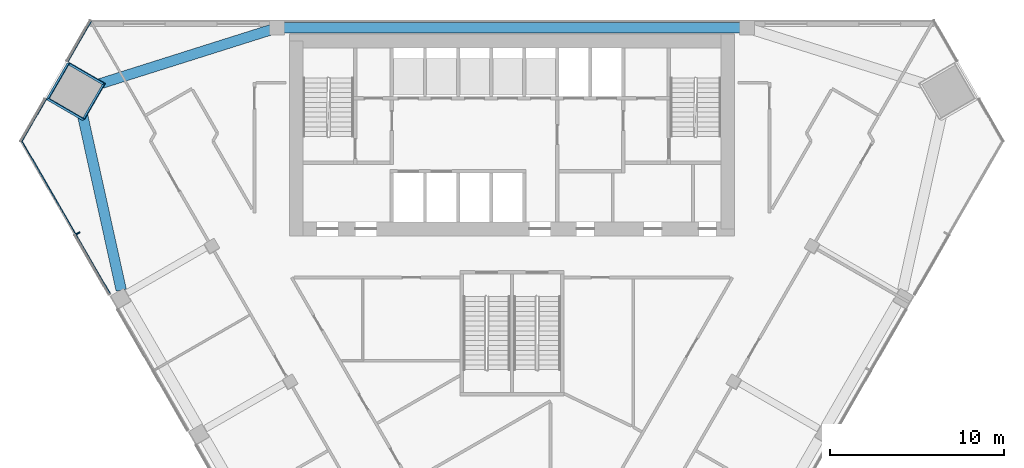
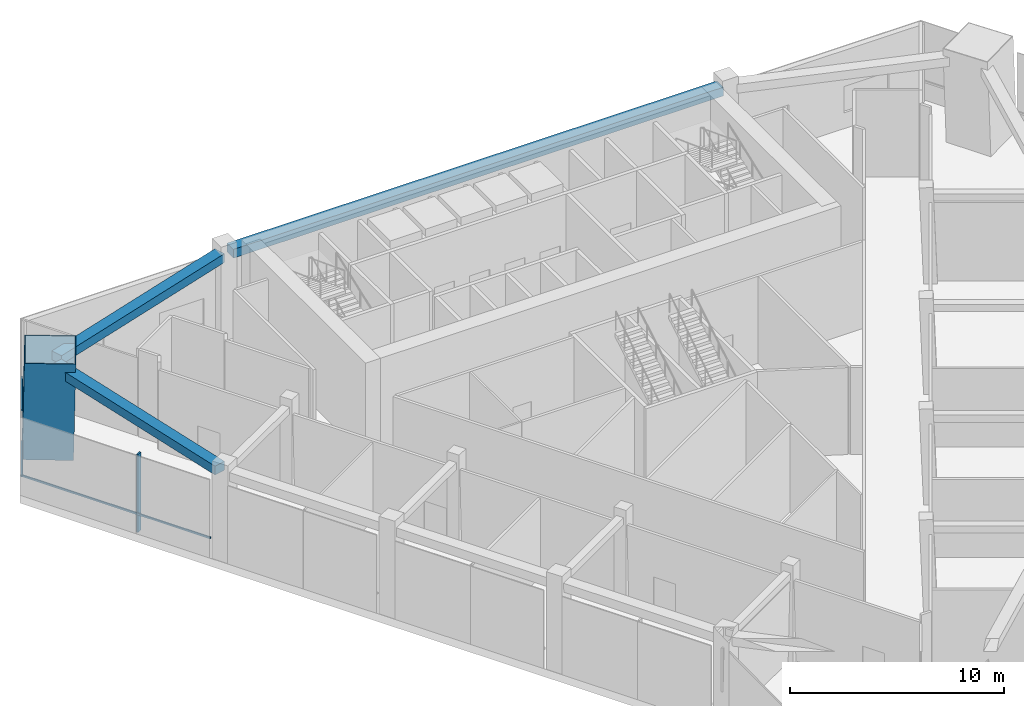
# One storey, part 4 of 12: 5 members, 3 beams, 2 elements without a shape of their own.
"""IFC4 building model written with IfcOpenShell, lengths in metres."""

from ifc_helpers import new_model, si_unit, direction, frame, origin, origin_2d, place, context, subcontext, project, spatial, rectangle, hollow_rectangle, extrude, material, layer, layer_set, material_profile, profile_set, type_object, element, aggregate, save


model = new_model("IFC4")

# Units and contexts
model_context = context("Model", 3, precision=1e-05, world=origin(), true_north=direction((0.0, 1.0)))
body_context = subcontext(model_context, "Body", "Model", "MODEL_VIEW")
ifc_project = project(units=[si_unit("LENGTHUNIT", "METRE"), si_unit("AREAUNIT", "SQUARE_METRE"), si_unit("VOLUMEUNIT", "CUBIC_METRE"), si_unit("PLANEANGLEUNIT", "RADIAN"), si_unit("MASSUNIT", "GRAM", prefix="KILO")], contexts=[model_context])

# Site, building, storey
site_placement = place(None, origin())
site = spatial("IfcSite", under=ifc_project, at=site_placement, CompositionType="ELEMENT")
building_placement = place(site_placement, origin())
building = spatial("IfcBuilding", under=site, at=building_placement, Name="Altiplano Prism Tower", CompositionType="ELEMENT")
storey_placement = place(building_placement, frame((0.0, 0.0, 118.800048828125)))
storey = spatial("IfcBuildingStorey", under=building, at=storey_placement, Name="L30", CompositionType="ELEMENT", Elevation=118.800048828125)

# Curtain wall, member
ifc_material_1 = material(Name="Aluminium and glass", Category="aluminium")
ifc_layer = layer(ifc_material_1, 0.360107421875)
ifc_layer_set = layer_set([ifc_layer], Name="Aluminium and glass")
curtain_wall_type = type_object("IfcCurtainWallType", Name="CW3 sky-lobby unitised glazing", PredefinedType="NOTDEFINED", material=ifc_layer_set)
curtain_wall_1_placement = place(storey_placement, origin())
curtain_wall_1 = element("IfcCurtainWall", 1, at=curtain_wall_1_placement, inside=storey, type_object=curtain_wall_type, Name="CW3 curtain wall south-west face L30", PredefinedType="NOTDEFINED")
ifc_material_2 = material(Name="Aluminium", Category="aluminium")
ifc_material_profile_1 = material_profile(ifc_material_2, rectangle(XDim=0.239990234375, YDim=0.080078125, at=origin_2d()), Name="CW3 mullion 80 x 240")
ifc_profile_set_1 = profile_set([ifc_material_profile_1], Name="Aluminium")
member_type_1 = type_object("IfcMemberType", Name="CW3 mullion 80 x 240", PredefinedType="MULLION", material=ifc_profile_set_1)
member_1_placement = place(storey_placement, frame((60.06103515625, 92.741455078125, 0.0), z_axis=(0.0, 0.0, 1.0), x_axis=(0.866025406725, 0.499999994906, 0.0)))
member_1 = element("IfcMember", 2, at=member_1_placement, type_object=member_type_1, Name="CW3 mullion", PredefinedType="MULLION", context=body_context, shape_type="SweptSolid", body=[
    extrude(rectangle(XDim=0.239990234375, YDim=0.080078125, at=origin_2d()), origin(), (0.0, 0.0, 1.0), 4.449951171875),
])

# Curtain wall, members
curtain_wall_2_placement = place(storey_placement, origin())
curtain_wall_2 = element("IfcCurtainWall", 3, at=curtain_wall_2_placement, inside=storey, type_object=curtain_wall_type, Name="CW3 curtain wall north-west chamfer L30", PredefinedType="NOTDEFINED")
ifc_material_profile_2 = material_profile(ifc_material_2, rectangle(XDim=0.070068359375, YDim=0.10009765625, at=origin_2d()), Name="CW3 transom 100 x 70")
ifc_profile_set_2 = profile_set([ifc_material_profile_2], Name="Aluminium")
member_type_2 = type_object("IfcMemberType", Name="CW3 transom 100 x 70", PredefinedType="USERDEFINED", material=ifc_profile_set_2)
member_2_placement = place(storey_placement, frame((60.8173828125, 104.95751953125, 1.099853515625), z_axis=(-0.500001755459, -0.866024390267, 0.0), x_axis=(0.866024390267, -0.500001755459, 0.0)))
member_2 = element("IfcMember", 4, at=member_2_placement, type_object=member_type_2, Name="CW3 transom", ObjectType="TRANSOM", PredefinedType="USERDEFINED", context=body_context, shape_type="SweptSolid", body=[
    extrude(rectangle(XDim=0.070068359375, YDim=0.10009765625, at=origin_2d()), origin(), (0.0, 0.0, 1.0), 2.69873046875),
])
member_3_placement = place(storey_placement, frame((58.2080078125, 100.43798828125, 1.099853515625), z_axis=(-0.500042355881, -0.866000948224, 0.0), x_axis=(0.866000948224, -0.500042355881, 0.0)))
member_3 = element("IfcMember", 5, at=member_3_placement, type_object=member_type_2, Name="CW3 transom", ObjectType="TRANSOM", PredefinedType="USERDEFINED", context=body_context, shape_type="SweptSolid", body=[
    extrude(rectangle(XDim=0.070068359375, YDim=0.10009765625, at=origin_2d()), origin(), (0.0, 0.0, 1.0), 2.818603515625),
])
aggregate(curtain_wall_2, [member_2, member_3])

# Member
member_4_placement = place(storey_placement, frame((56.798583984375, 98.08203125, 1.099853515625), z_axis=(0.500001144849, -0.866024742805, 0.0), x_axis=(0.866024742805, 0.500001144849, 0.0)))
member_4 = element("IfcMember", 6, at=member_4_placement, type_object=member_type_2, Name="CW3 transom", ObjectType="TRANSOM", PredefinedType="USERDEFINED", context=body_context, shape_type="SweptSolid", body=[
    extrude(rectangle(XDim=0.070068359375, YDim=0.10009765625, at=origin_2d()), origin(), (0.0, 0.0, 1.0), 10.2119140625),
])

aggregate(curtain_wall_1, [member_1, member_4])

# Beams
ifc_material_3 = material(Name="Concrete C60/75", Category="concrete")
ifc_material_profile_3 = material_profile(ifc_material_3, rectangle(XDim=0.60009765625, YDim=0.5, at=origin_2d()), Name="Edge beam 600x500")
ifc_profile_set_3 = profile_set([ifc_material_profile_3], Name="Concrete C60/75")
beam_type = type_object("IfcBeamType", Name="Edge beam 600x500", PredefinedType="SPANDREL", material=ifc_profile_set_3)
beam_1_placement = place(storey_placement, frame((98.195068359375, 104.550048828125, 4.699951171875), z_axis=(-1.0, 0.0, 0.0), x_axis=(0.0, -1.0, 0.0)))
element("IfcBeam", 7, at=beam_1_placement, inside=storey, type_object=beam_type, Name="Edge beam P01-P04 L31", PredefinedType="SPANDREL", context=body_context, shape_type="SweptSolid", body=[
    extrude(rectangle(XDim=0.60009765625, YDim=0.5, at=origin_2d()), origin(), (0.0, 0.0, 1.0), 26.39013671875),
])
beam_2_placement = place(storey_placement, frame((71.189453125, 104.451904296875, 4.699951171875), z_axis=(-0.953512580837, -0.301353211672, 0.0), x_axis=(0.301353211672, -0.953512580837, 0.0)))
element("IfcBeam", 8, at=beam_2_placement, inside=storey, type_object=beam_type, Name="Edge beam P04-M0 L31", PredefinedType="SPANDREL", context=body_context, shape_type="SweptSolid", body=[
    extrude(rectangle(XDim=0.60009765625, YDim=0.5, at=origin_2d()), origin(), (0.0, 0.0, 1.0), 11.270751953125),
])
beam_3_placement = place(storey_placement, frame((60.110595703125, 100.48046875, 4.699951171875), z_axis=(0.215788130931, -0.976440209408, 0.0), x_axis=(0.976440209408, 0.215788130931, 0.0)))
element("IfcBeam", 9, at=beam_3_placement, inside=storey, type_object=beam_type, Name="Edge beam M0-P11 L31", PredefinedType="SPANDREL", context=body_context, shape_type="SweptSolid", body=[
    extrude(rectangle(XDim=0.60009765625, YDim=0.5, at=origin_2d()), origin(), (0.0, 0.0, 1.0), 11.27099609375),
])

# Member
ifc_material_4 = material(Name="Steel S460", Category="steel")
ifc_material_profile_4 = material_profile(ifc_material_4, hollow_rectangle(XDim=2.39990234375, YDim=2.39990234375, WallThickness=0.0400390625, at=origin_2d()), Name="Mega column tube 2400")
ifc_profile_set_4 = profile_set([ifc_material_profile_4], Name="Steel S460")
member_type_3 = type_object("IfcMemberType", Name="Mega column tube 2400", PredefinedType="POST", material=ifc_profile_set_4)
member_5_placement = place(storey_placement, frame((59.860107421875, 100.869873046875, 0.0), z_axis=(0.028425675249, 0.009219137918, 0.999553394513), x_axis=(-0.865006039594, 0.50136368478, 0.019975160829)))
element("IfcMember", 10, at=member_5_placement, inside=storey, type_object=member_type_3, Name="Mega column tube M0 L30", PredefinedType="POST", context=body_context, shape_type="SweptSolid", body=[
    extrude(hollow_rectangle(XDim=2.39990234375, YDim=2.39990234375, WallThickness=0.0400390625, at=origin_2d()), origin(), (0.0, 0.0, 1.0), 5.40234375),
])

save(model, "model.ifc")
